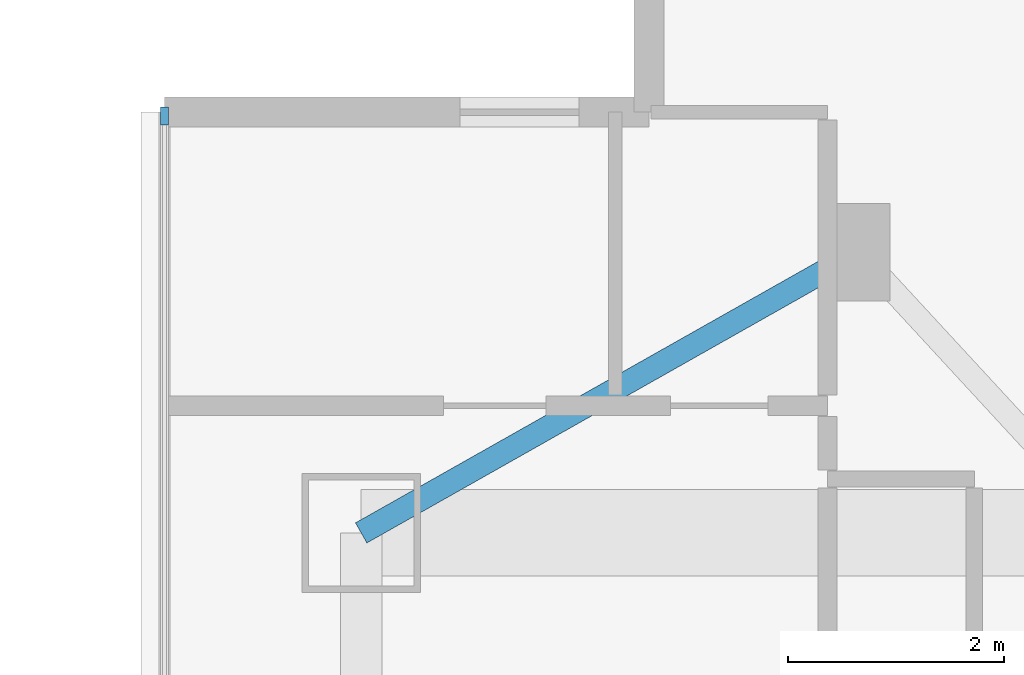
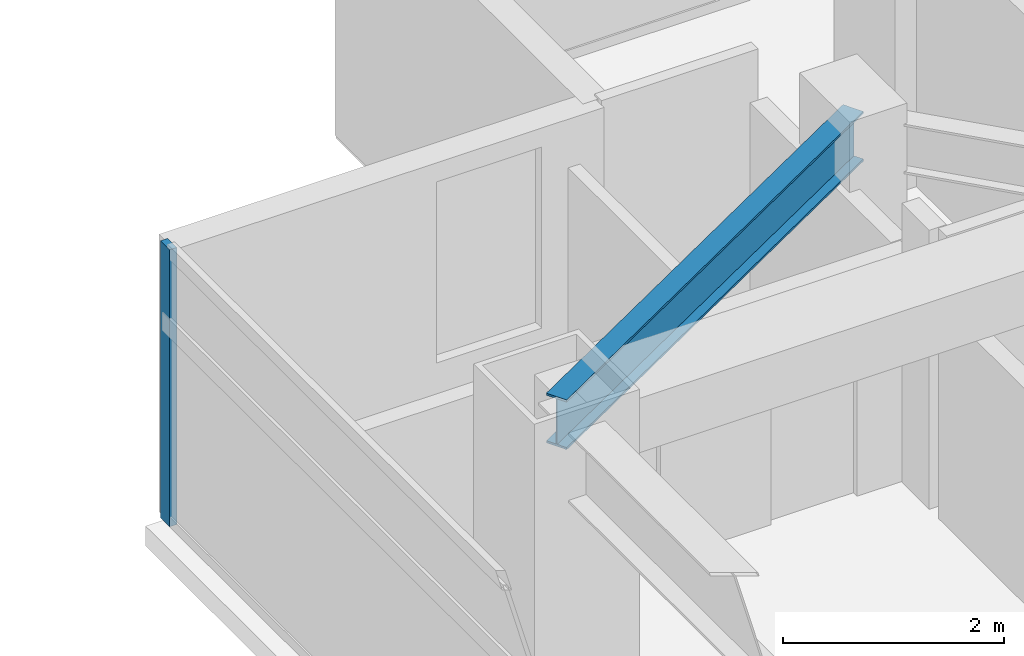
# One storey, part 7 of 27: 1 beam, 1 member, 1 element without a shape of its own.
"""IFC4 building model written with IfcOpenShell, lengths in metres."""

from ifc_helpers import new_model, si_unit, direction, frame, origin, origin_2d, place, context, subcontext, project, spatial, rectangle, i_section, extrude, material, material_profile, profile_set, type_object, element, aggregate, save


model = new_model("IFC4")

# Units and contexts
model_context = context("Model", 3, precision=1e-05, world=origin(), true_north=direction((0.0, 1.0)))
body_context = subcontext(model_context, "Body", "Model", "MODEL_VIEW")
ifc_project = project(units=[si_unit("LENGTHUNIT", "METRE"), si_unit("AREAUNIT", "SQUARE_METRE"), si_unit("VOLUMEUNIT", "CUBIC_METRE"), si_unit("PLANEANGLEUNIT", "RADIAN"), si_unit("MASSUNIT", "GRAM", prefix="KILO")], contexts=[model_context])

# Site, building, storey
site_placement = place(None, origin())
site = spatial("IfcSite", under=ifc_project, at=site_placement, CompositionType="ELEMENT")
building_placement = place(site_placement, origin())
building = spatial("IfcBuilding", under=site, at=building_placement, Name="Mirazonda Arch Towers", CompositionType="ELEMENT")
storey_placement = place(building_placement, frame((0.0, 0.0, 124.699951171875)))
storey = spatial("IfcBuildingStorey", under=building, at=storey_placement, Name="L35", CompositionType="ELEMENT", Elevation=124.699951171875)

# Beam
ifc_material_1 = material(Name="Steel ASTM A992 Grade 50", Category="steel")
ifc_material_profile_1 = material_profile(ifc_material_1, i_section(OverallWidth=0.214111328125, OverallDepth=0.549072265625, WebThickness=0.0146484375, FlangeThickness=0.023681640625, at=origin_2d()), Name="W21X93")
ifc_profile_set_1 = profile_set([ifc_material_profile_1], Name="Steel ASTM A992 Grade 50")
beam_type = type_object("IfcBeamType", Name="BM-INT-W21X93", PredefinedType="BEAM", material=ifc_profile_set_1)
beam_placement = place(storey_placement, frame((65.60009765625, 37.800048828125, 2.8056640625), z_axis=(-0.870559396632, -0.492063346467, 0.0), x_axis=(0.492063346467, -0.870559396632, 0.0)))
element("IfcBeam", 1, at=beam_placement, inside=storey, type_object=beam_type, Name="L35 Floor Beam BM-T2-L35-PL-NW2", PredefinedType="BEAM", context=body_context, shape_type="SweptSolid", body=[
    extrude(i_section(OverallWidth=0.214111328125, OverallDepth=0.549072265625, WebThickness=0.0146484375, FlangeThickness=0.023681640625, at=origin_2d()), origin(), (0.0, 0.0, 1.0), 5.2841796875),
])

# Curtain wall, member
ifc_material_2 = material(Name="Anodised Aluminium and Low-E Glass", Category="aluminium")
curtain_wall_type = type_object("IfcCurtainWallType", Name="CW-HTL-UNIT", PredefinedType="NOTDEFINED", material=ifc_material_2)
curtain_wall_placement = place(storey_placement, origin())
curtain_wall = element("IfcCurtainWall", 2, at=curtain_wall_placement, inside=storey, type_object=curtain_wall_type, Name="L35 T2 W Facade CW-L35-T2-W", PredefinedType="NOTDEFINED")
ifc_material_3 = material(Name="Anodised Aluminium Alloy", Category="aluminium")
ifc_material_profile_2 = material_profile(ifc_material_3, rectangle(XDim=0.074951171875, YDim=0.1650390625, at=origin_2d()), Name="ALU-MULL-75x165")
ifc_profile_set_2 = profile_set([ifc_material_profile_2], Name="Anodised Aluminium Alloy")
member_type = type_object("IfcMemberType", Name="MULL-CW-HTL-UNIT", PredefinedType="MULLION", material=ifc_profile_set_2)
member_placement = place(storey_placement, frame((59.178955078125, 39.0615234375, 0.0), z_axis=(0.0, 0.0, 1.0), x_axis=(1.0, 0.0, 0.0)))
member = element("IfcMember", 3, at=member_placement, type_object=member_type, Name="CW-112 mullion 1", PredefinedType="MULLION", context=body_context, shape_type="SweptSolid", body=[
    extrude(rectangle(XDim=0.074951171875, YDim=0.1650390625, at=origin_2d()), origin(), (0.0, 0.0, 1.0), 3.06005859375),
])
aggregate(curtain_wall, [member])

save(model, "model.ifc")
